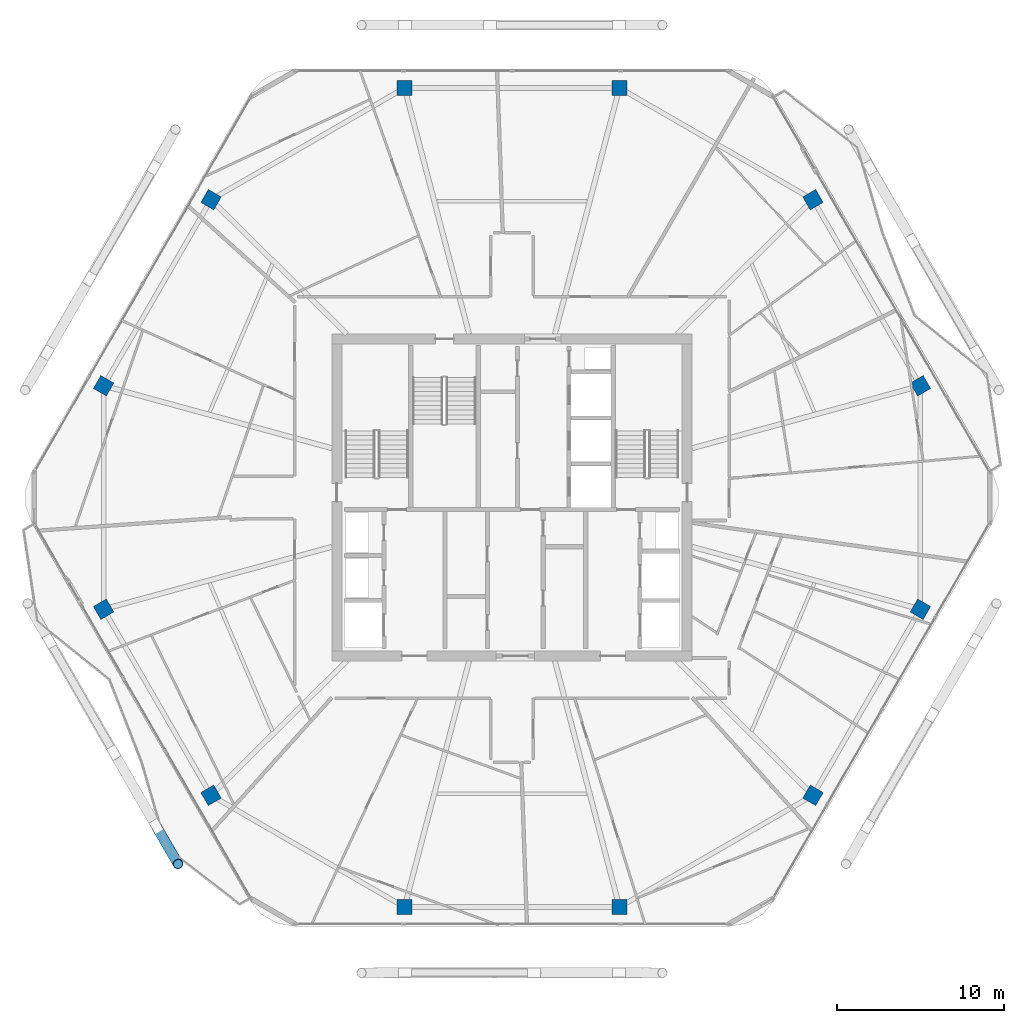
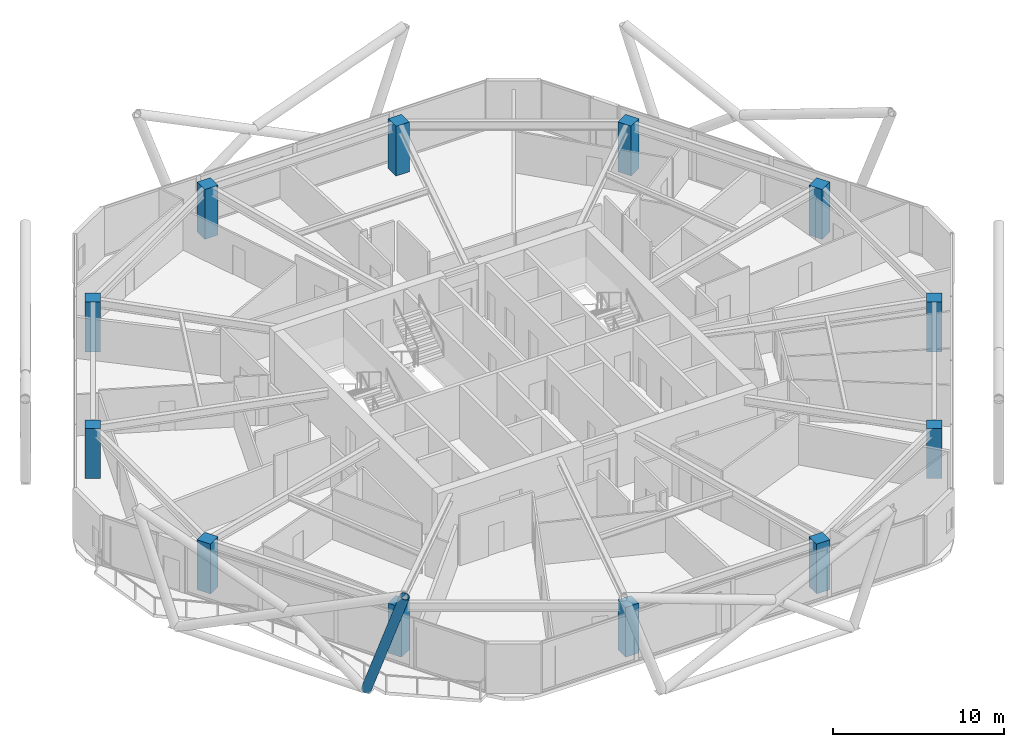
# One storey, part 1 of 27: 12 columns, 1 member.
"""IFC4 building model written with IfcOpenShell, lengths in metres."""

from ifc_helpers import new_model, si_unit, direction, frame, origin, origin_2d, place, context, subcontext, project, spatial, rectangle, hollow_circle, extrude, material, material_profile, profile_set, type_object, element, save


model = new_model("IFC4")

# Units and contexts
model_context = context("Model", 3, precision=1e-05, world=origin(), true_north=direction((0.0, 1.0)))
body_context = subcontext(model_context, "Body", "Model", "MODEL_VIEW")
ifc_project = project(units=[si_unit("LENGTHUNIT", "METRE"), si_unit("AREAUNIT", "SQUARE_METRE"), si_unit("VOLUMEUNIT", "CUBIC_METRE"), si_unit("PLANEANGLEUNIT", "RADIAN"), si_unit("MASSUNIT", "GRAM", prefix="KILO")], contexts=[model_context])

# Site, building, storey
site_placement = place(None, origin())
site = spatial("IfcSite", under=ifc_project, at=site_placement, CompositionType="ELEMENT")
building_placement = place(site_placement, origin())
building = spatial("IfcBuilding", under=site, at=building_placement, Name="Zuhravey Tower", CompositionType="ELEMENT")
storey_placement = place(building_placement, frame((0.0, 0.0, 238.800048828125)))
storey = spatial("IfcBuildingStorey", under=building, at=storey_placement, Name="L60", CompositionType="ELEMENT", Elevation=238.800048828125)

# Columns
ifc_material_1 = material(Name="Concrete C50/60", Category="concrete")
ifc_material_profile_1 = material_profile(ifc_material_1, rectangle(XDim=0.89990234375, YDim=0.89990234375, at=origin_2d()), Name="RC-900x900")
ifc_profile_set_1 = profile_set([ifc_material_profile_1], Name="Concrete C50/60")
column_type = type_object("IfcColumnType", Name="Zone 3 Perimeter Column 900x900", PredefinedType="COLUMN", material=ifc_profile_set_1)
for number, where, z_axis, x_axis, name in (
    (1, (60.484619140625, 38.698974609375, 0.0), (0.0, 0.0, 1.0), (-0.5, 0.866025403784, 0.0), "L60 Perimeter Column PC01"),
    (2, (54.043701171875, 49.854736328125, 0.0), (0.0, 0.0, 1.0), (-0.5, 0.866025403784, 0.0), "L60 Perimeter Column PC02"),
    (3, (42.44091796875, 56.5537109375, 0.0), (0.0, 0.0, 1.0), (-1.0, 0.0, 0.0), "L60 Perimeter Column PC03"),
    (4, (29.55908203125, 56.5537109375, 0.0), (0.0, 0.0, 1.0), (-1.0, 0.0, 0.0), "L60 Perimeter Column PC04"),
    (5, (17.956298828125, 49.854736328125, 0.0), (0.0, 0.0, 1.0), (-0.5, -0.866025403784, 0.0), "L60 Perimeter Column PC05"),
    (6, (11.515380859375, 38.698974609375, 0.0), (0.0, 0.0, 1.0), (-0.5, -0.866025403784, 0.0), "L60 Perimeter Column PC06"),
    (7, (11.515380859375, 25.301025390625, 0.0), (0.0, 0.0, 1.0), (0.5, -0.866025403784, 0.0), "L60 Perimeter Column PC07"),
    (8, (17.956298828125, 14.145263671875, 0.0), (0.0, 0.0, 1.0), (0.5, -0.866025403784, 0.0), "L60 Perimeter Column PC08"),
    (9, (29.55908203125, 7.4462890625, 0.0), (0.0, 0.0, 1.0), (1.0, 0.0, 0.0), "L60 Perimeter Column PC09"),
    (10, (42.44091796875, 7.4462890625, 0.0), (0.0, 0.0, 1.0), (1.0, 0.0, 0.0), "L60 Perimeter Column PC10"),
    (11, (54.043701171875, 14.145263671875, 0.0), (0.0, 0.0, 1.0), (0.5, 0.866025403784, 0.0), "L60 Perimeter Column PC11"),
    (12, (60.484619140625, 25.301025390625, 0.0), (0.0, 0.0, 1.0), (0.5, 0.866025403784, 0.0), "L60 Perimeter Column PC12"),
):
    element("IfcColumn", number, at=place(storey_placement, frame(where, z_axis=z_axis, x_axis=x_axis)), inside=storey, type_object=column_type, Name=name, PredefinedType="COLUMN", context=body_context, shape_type="SweptSolid", body=[
        extrude(rectangle(XDim=0.89990234375, YDim=0.89990234375, at=origin_2d()), origin(), (0.0, 0.0, 1.0), 3.550048828125),
    ])

# Member
ifc_material_2 = material(Name="Steel SM355", Category="steel")
ifc_material_profile_2 = material_profile(ifc_material_2, hollow_circle(Radius=0.3046875, WallThickness=0.028076171875, at=origin_2d()), Name="CHS-609.6x28")
ifc_profile_set_2 = profile_set([ifc_material_profile_2], Name="Steel SM355")
member_type = type_object("IfcMemberType", Name="Exoskeleton Zone 3 Diagrid CHS610x28", PredefinedType="BRACE", material=ifc_profile_set_2)
member_placement = place(storey_placement, frame((14.677978515625, 12.28369140625, -0.446044921875), z_axis=(0.163029217662, -0.282394798701, 0.945343668649), x_axis=(0.866040668696, 0.499973559465, 0.0)))
element("IfcMember", 13, at=member_placement, inside=storey, type_object=member_type, Name="L60 Face 4 Diagrid Brace 4", PredefinedType="BRACE", context=body_context, shape_type="SweptSolid", body=[
    extrude(hollow_circle(Radius=0.3046875, WallThickness=0.028076171875, at=origin_2d()), origin(), (0.0, 0.0, 1.0), 8.001220703125),
])

save(model, "model.ifc")
